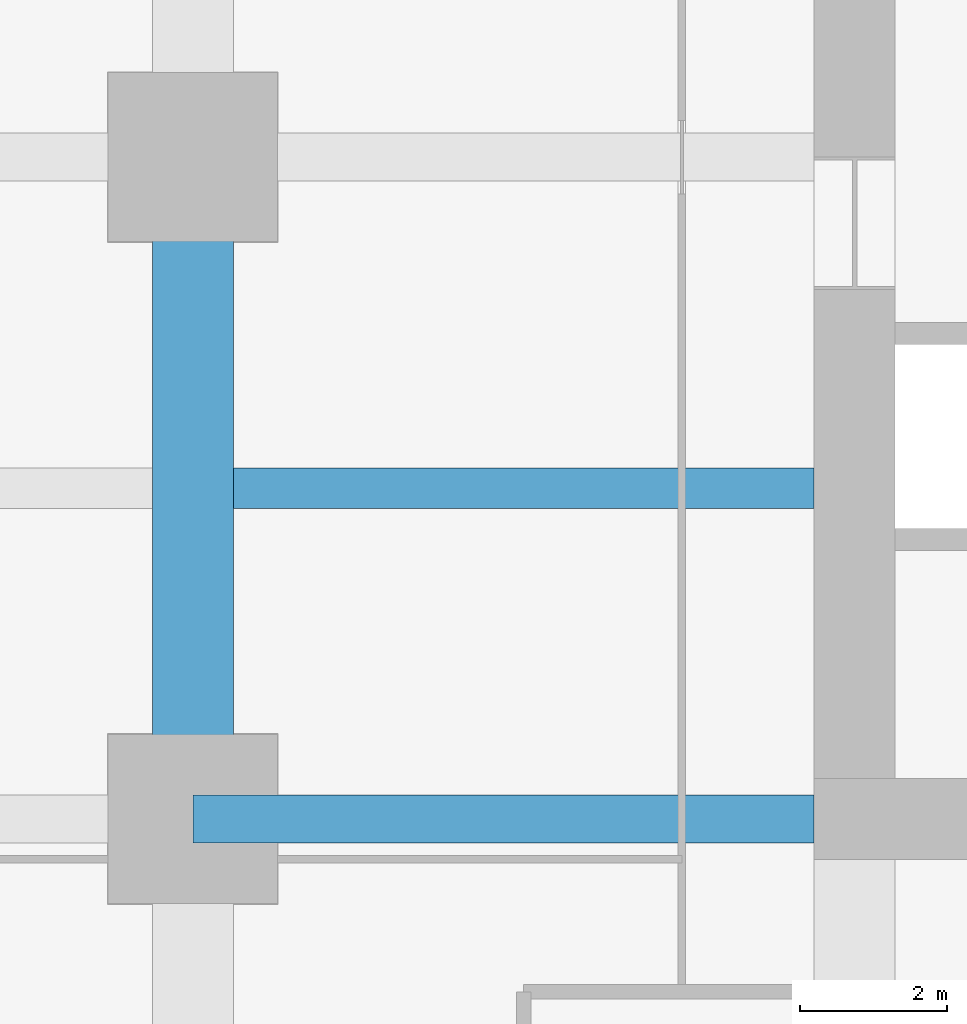
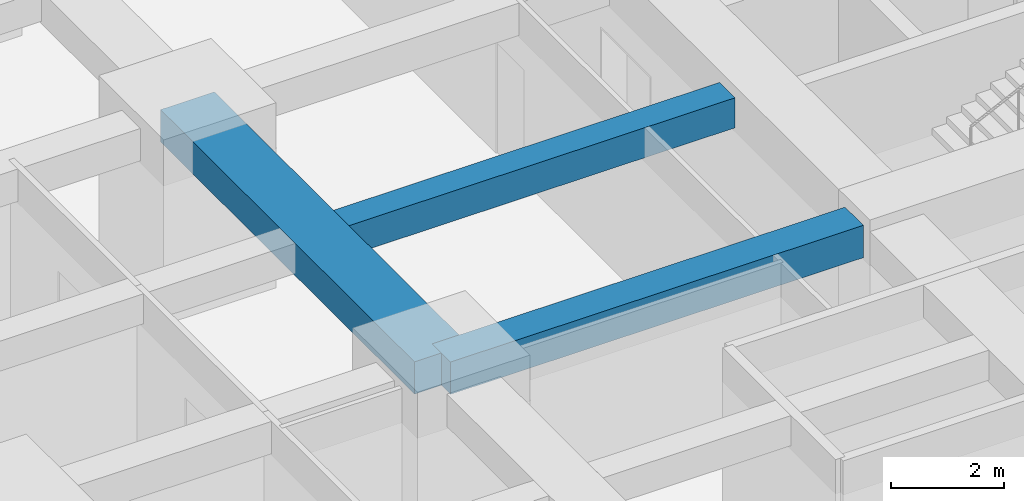
# One storey, part 10 of 44: 3 beams.
"""IFC4 building model written with IfcOpenShell, lengths in metres."""

from ifc_helpers import new_model, si_unit, direction, frame, origin, origin_2d, place, context, subcontext, project, spatial, rectangle, extrude, material, material_profile, profile_set, type_object, element, save


model = new_model("IFC4")

# Units and contexts
model_context = context("Model", 3, precision=1e-05, world=origin(), true_north=direction((0.0, 1.0)))
body_context = subcontext(model_context, "Body", "Model", "MODEL_VIEW")
ifc_project = project(units=[si_unit("LENGTHUNIT", "METRE"), si_unit("AREAUNIT", "SQUARE_METRE"), si_unit("VOLUMEUNIT", "CUBIC_METRE"), si_unit("PLANEANGLEUNIT", "RADIAN"), si_unit("MASSUNIT", "GRAM", prefix="KILO")], contexts=[model_context])

# Site, building, storey
site_placement = place(None, origin())
site = spatial("IfcSite", under=ifc_project, at=site_placement, CompositionType="ELEMENT")
building_placement = place(site_placement, origin())
building = spatial("IfcBuilding", under=site, at=building_placement, Name="Zorevar Civic Tower", CompositionType="ELEMENT")
storey_placement = place(building_placement, frame((0.0, 0.0, 31.800048828125)))
storey = spatial("IfcBuildingStorey", under=building, at=storey_placement, Name="L07", CompositionType="ELEMENT", Elevation=31.800048828125)

# Beams
ifc_material_1 = material(Name="Concrete C50/60", Category="concrete")
ifc_material_profile_1 = material_profile(ifc_material_1, rectangle(XDim=1.10009765625, YDim=0.699951171875, at=origin_2d()), Name="RC 1100x700")
ifc_profile_set_1 = profile_set([ifc_material_profile_1], Name="Concrete C50/60")
beam_type_1 = type_object("IfcBeamType", Name="Beam RC 1100x700", PredefinedType="BEAM", material=ifc_profile_set_1)
beam_1_placement = place(storey_placement, frame((9.0, 18.0, 3.39990234375), z_axis=(0.0, 1.0, 0.0), x_axis=(-1.0, 0.0, 0.0)))
element("IfcBeam", 1, at=beam_1_placement, inside=storey, type_object=beam_type_1, Name="Girder L08", PredefinedType="BEAM", context=body_context, shape_type="SweptSolid", body=[
    extrude(rectangle(XDim=1.10009765625, YDim=0.699951171875, at=origin_2d()), origin(), (0.0, 0.0, 1.0), 9.0),
])
ifc_material_2 = material(Name="Concrete C50/60", Category="concrete")
ifc_material_profile_2 = material_profile(ifc_material_2, rectangle(XDim=0.550048828125, YDim=0.64990234375, at=origin_2d()), Name="RC 550x650")
ifc_profile_set_2 = profile_set([ifc_material_profile_2], Name="Concrete C50/60")
beam_type_2 = type_object("IfcBeamType", Name="Beam RC 550x650", PredefinedType="BEAM", material=ifc_profile_set_2)
beam_2_placement = place(storey_placement, frame((9.550048828125, 22.5, 3.425048828125), z_axis=(1.0, 0.0, 0.0), x_axis=(0.0, 1.0, 0.0)))
element("IfcBeam", 2, at=beam_2_placement, inside=storey, type_object=beam_type_2, Name="Secondary beam L08", PredefinedType="BEAM", context=body_context, shape_type="SweptSolid", body=[
    extrude(rectangle(XDim=0.550048828125, YDim=0.64990234375, at=origin_2d()), origin(), (0.0, 0.0, 1.0), 7.89990234375),
])
ifc_material_3 = material(Name="Concrete C50/60", Category="concrete")
ifc_material_profile_3 = material_profile(ifc_material_3, rectangle(XDim=0.64990234375, YDim=0.699951171875, at=origin_2d()), Name="RC 650x700")
ifc_profile_set_3 = profile_set([ifc_material_profile_3], Name="Concrete C50/60")
beam_type_3 = type_object("IfcBeamType", Name="Beam RC 650x700", PredefinedType="BEAM", material=ifc_profile_set_3)
beam_3_placement = place(storey_placement, frame((9.0, 18.0, 3.39990234375), z_axis=(1.0, 0.0, 0.0), x_axis=(0.0, 1.0, 0.0)))
element("IfcBeam", 3, at=beam_3_placement, inside=storey, type_object=beam_type_3, Name="Girder L08", PredefinedType="BEAM", context=body_context, shape_type="SweptSolid", body=[
    extrude(rectangle(XDim=0.64990234375, YDim=0.699951171875, at=origin_2d()), origin(), (0.0, 0.0, 1.0), 8.449951171875),
])

save(model, "model.ifc")
